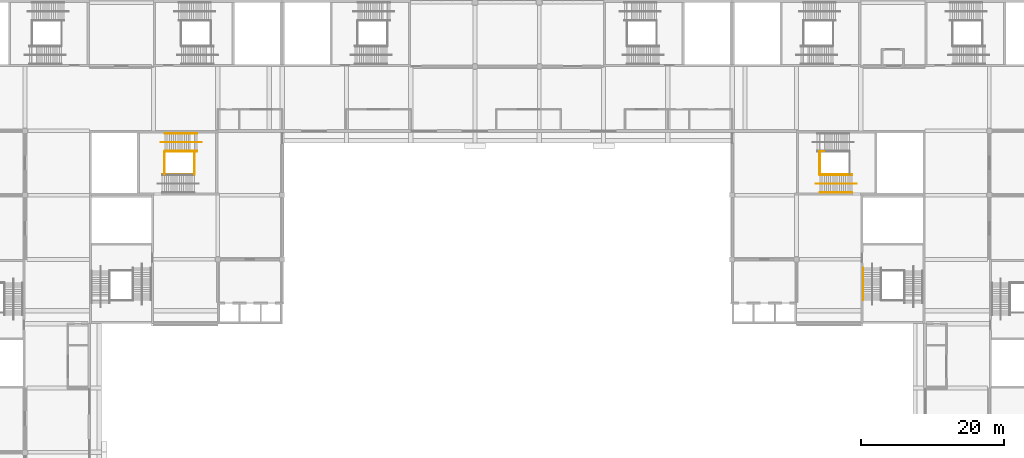
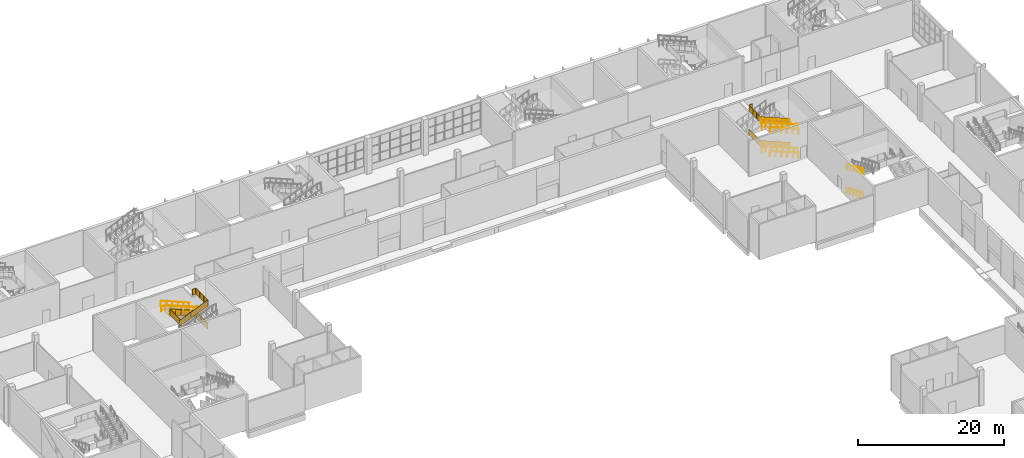
# One storey, part 78 of 89: 20 railings.
"""IFC4 building model written with IfcOpenShell, lengths in metres."""

from ifc_helpers import new_model, si_unit, direction, frame, origin, origin_2d, place, context, subcontext, project, spatial, polyline, circle, outline, extrude, material, type_object, element, save


model = new_model("IFC4")

# Units and contexts
model_context = context("Model", 3, precision=1e-05, world=origin(), true_north=direction((0.0, 1.0)))
body_context = subcontext(model_context, "Body", "Model", "MODEL_VIEW")
ifc_project = project(units=[si_unit("LENGTHUNIT", "METRE"), si_unit("AREAUNIT", "SQUARE_METRE"), si_unit("VOLUMEUNIT", "CUBIC_METRE"), si_unit("PLANEANGLEUNIT", "RADIAN"), si_unit("MASSUNIT", "GRAM", prefix="KILO")], contexts=[model_context])

# Site, building, storey
site_placement = place(None, origin())
site = spatial("IfcSite", under=ifc_project, at=site_placement, CompositionType="ELEMENT")
building_placement = place(site_placement, origin())
building = spatial("IfcBuilding", under=site, at=building_placement, Name="Silverbay Arena", CompositionType="ELEMENT")
storey_placement = place(building_placement, frame((0.0, 0.0, 22.0)))
storey = spatial("IfcBuildingStorey", under=building, at=storey_placement, Name="L03", CompositionType="ELEMENT", Elevation=22.0)

# Railings
ifc_material_1 = material(Name="Stainless steel", Category="steel")
railing_type_1 = type_object("IfcRailingType", Name="Stair guard 1100", PredefinedType="GUARDRAIL", material=ifc_material_1)
railing_1_placement = place(storey_placement, frame((87.10009765625, 123.125, 2.125)))
element("IfcRailing", 1, at=railing_1_placement, inside=storey, type_object=railing_type_1, Name="Stair ST-NW1 L03 to L04 flight 2 guard left", PredefinedType="GUARDRAIL", context=body_context, shape_type="SweptSolid", body=[
    extrude(circle(Radius=0.02392578125, at=origin_2d()), frame((0.0, 0.0, 1.076171875), z_axis=(-0.923076923077, 0.0, 0.384615384615), x_axis=(0.0, -1.0, 0.0)), (0.0, 0.0, 1.0), 4.875),
    extrude(outline(polyline([(-0.008056640625, 0.046630859375), (0.907958984375, 0.42822265625), (0.907958984375, 1.431396484375), (-0.008056640625, 1.049560546875), (-0.008056640625, 0.046630859375)])), frame((0.0, -0.0029296875, 0.0), z_axis=(0.0, 1.0, 0.0), x_axis=(-1.0, 0.0, 0.0)), (0.0, 0.0, 1.0), 0.006103515625),
    extrude(outline(polyline([(-0.008056640625, 0.421630859375), (0.907958984375, 0.80322265625), (0.907958984375, 1.806396484375), (-0.008056640625, 1.424560546875), (-0.008056640625, 0.421630859375)])), frame((-0.89990234375, -0.0029296875, 0.0), z_axis=(0.0, 1.0, 0.0), x_axis=(-1.0, 0.0, 0.0)), (0.0, 0.0, 1.0), 0.006103515625),
    extrude(outline(polyline([(-0.008056640625, 0.796630859375), (0.907958984375, 1.17822265625), (0.907958984375, 2.181396484375), (-0.008056640625, 1.799560546875), (-0.008056640625, 0.796630859375)])), frame((-1.800048828125, -0.0029296875, 0.0), z_axis=(0.0, 1.0, 0.0), x_axis=(-1.0, 0.0, 0.0)), (0.0, 0.0, 1.0), 0.006103515625),
    extrude(outline(polyline([(-0.008056640625, 1.171630859375), (0.907958984375, 1.55322265625), (0.907958984375, 2.556396484375), (-0.008056640625, 2.174560546875), (-0.008056640625, 1.171630859375)])), frame((-2.699951171875, -0.0029296875, 0.0), z_axis=(0.0, 1.0, 0.0), x_axis=(-1.0, 0.0, 0.0)), (0.0, 0.0, 1.0), 0.006103515625),
    extrude(outline(polyline([(-0.008056640625, 1.546630859375), (0.907958984375, 1.92822265625), (0.907958984375, 2.931396484375), (-0.008056640625, 2.549560546875), (-0.008056640625, 1.546630859375)])), frame((-3.60009765625, -0.0029296875, 0.0), z_axis=(0.0, 1.0, 0.0), x_axis=(-1.0, 0.0, 0.0)), (0.0, 0.0, 1.0), 0.006103515625),
    extrude(circle(Radius=0.02099609375, at=origin_2d()), origin(), (0.0, 0.0, 1.0), 1.052001953125),
    extrude(circle(Radius=0.02099609375, at=origin_2d()), frame((-0.89990234375, 0.0, 0.375)), (0.0, 0.0, 1.0), 1.052001953125),
    extrude(circle(Radius=0.02099609375, at=origin_2d()), frame((-1.800048828125, 0.0, 0.75)), (0.0, 0.0, 1.0), 1.052001953125),
    extrude(circle(Radius=0.02099609375, at=origin_2d()), frame((-2.699951171875, 0.0, 1.125)), (0.0, 0.0, 1.0), 1.052001953125),
    extrude(circle(Radius=0.02099609375, at=origin_2d()), frame((-3.60009765625, 0.0, 1.5)), (0.0, 0.0, 1.0), 1.052001953125),
    extrude(circle(Radius=0.02099609375, at=origin_2d()), frame((-4.5, 0.0, 1.875)), (0.0, 0.0, 1.0), 1.052001953125),
])
railing_2_placement = place(storey_placement, frame((82.2099609375, 119.875, 4.125)))
element("IfcRailing", 2, at=railing_2_placement, inside=storey, type_object=railing_type_1, Name="Stair ST-NW1 L03 to L04 flight 3 guard right", PredefinedType="GUARDRAIL", context=body_context, shape_type="SweptSolid", body=[
    extrude(circle(Radius=0.02392578125, at=origin_2d()), frame((0.0, 0.0, 1.076171875), z_axis=(0.923076923077, 0.0, 0.384615384615), x_axis=(0.0, 1.0, 0.0)), (0.0, 0.0, 1.0), 4.875),
    extrude(outline(polyline([(-0.008056640625, 0.046630859375), (0.907958984375, 0.42822265625), (0.907958984375, 1.431396484375), (-0.008056640625, 1.049560546875), (-0.008056640625, 0.046630859375)])), frame((0.0, 0.0029296875, 0.0), z_axis=(0.0, -1.0, 0.0), x_axis=(1.0, 0.0, 0.0)), (0.0, 0.0, 1.0), 0.006103515625),
    extrude(outline(polyline([(-0.008056640625, 0.421630859375), (0.907958984375, 0.80322265625), (0.907958984375, 1.806396484375), (-0.008056640625, 1.424560546875), (-0.008056640625, 0.421630859375)])), frame((0.89990234375, 0.0029296875, 0.0), z_axis=(0.0, -1.0, 0.0), x_axis=(1.0, 0.0, 0.0)), (0.0, 0.0, 1.0), 0.006103515625),
    extrude(outline(polyline([(-0.008056640625, 0.796630859375), (0.907958984375, 1.17822265625), (0.907958984375, 2.181396484375), (-0.008056640625, 1.799560546875), (-0.008056640625, 0.796630859375)])), frame((1.800048828125, 0.0029296875, 0.0), z_axis=(0.0, -1.0, 0.0), x_axis=(1.0, 0.0, 0.0)), (0.0, 0.0, 1.0), 0.006103515625),
    extrude(outline(polyline([(-0.008056640625, 1.171630859375), (0.907958984375, 1.55322265625), (0.907958984375, 2.556396484375), (-0.008056640625, 2.174560546875), (-0.008056640625, 1.171630859375)])), frame((2.699951171875, 0.0029296875, 0.0), z_axis=(0.0, -1.0, 0.0), x_axis=(1.0, 0.0, 0.0)), (0.0, 0.0, 1.0), 0.006103515625),
    extrude(outline(polyline([(-0.008056640625, 1.546630859375), (0.907958984375, 1.92822265625), (0.907958984375, 2.931396484375), (-0.008056640625, 2.549560546875), (-0.008056640625, 1.546630859375)])), frame((3.60009765625, 0.0029296875, 0.0), z_axis=(0.0, -1.0, 0.0), x_axis=(1.0, 0.0, 0.0)), (0.0, 0.0, 1.0), 0.006103515625),
    extrude(circle(Radius=0.02099609375, at=origin_2d()), origin(), (0.0, 0.0, 1.0), 1.052001953125),
    extrude(circle(Radius=0.02099609375, at=origin_2d()), frame((0.89990234375, 0.0, 0.375)), (0.0, 0.0, 1.0), 1.052001953125),
    extrude(circle(Radius=0.02099609375, at=origin_2d()), frame((1.800048828125, 0.0, 0.75)), (0.0, 0.0, 1.0), 1.052001953125),
    extrude(circle(Radius=0.02099609375, at=origin_2d()), frame((2.699951171875, 0.0, 1.125)), (0.0, 0.0, 1.0), 1.052001953125),
    extrude(circle(Radius=0.02099609375, at=origin_2d()), frame((3.60009765625, 0.0, 1.5)), (0.0, 0.0, 1.0), 1.052001953125),
    extrude(circle(Radius=0.02099609375, at=origin_2d()), frame((4.5, 0.0, 1.875)), (0.0, 0.0, 1.0), 1.052001953125),
])
for number, where, name in (
    (3, (86.760009765625, 119.89990234375, 2.0), "Stair ST-NW1 L03 to L04 landing 1 guard"),
    (4, (82.550048828125, 119.89990234375, 4.0), "Stair ST-NW1 L03 to L04 landing 2 guard"),
):
    element("IfcRailing", number, at=place(storey_placement, frame(where)), inside=storey, type_object=railing_type_1, Name=name, PredefinedType="GUARDRAIL", context=body_context, shape_type="SweptSolid", body=[
        extrude(circle(Radius=0.02392578125, at=origin_2d()), frame((0.0, 0.0, 1.076171875), z_axis=(0.0, 1.0, 0.0), x_axis=(-1.0, 0.0, 0.0)), (0.0, 0.0, 1.0), 3.2001953125),
        extrude(outline(polyline([(-0.008056640625, 0.050048828125), (1.07470703125, 0.050048828125), (1.07470703125, 1.052978515625), (-0.008056640625, 1.052978515625), (-0.008056640625, 0.050048828125)])), frame((-0.0029296875, 0.0, 0.0), z_axis=(1.0, 0.0, 0.0), x_axis=(0.0, 1.0, 0.0)), (0.0, 0.0, 1.0), 0.006103515625),
        extrude(outline(polyline([(-0.008056640625, 0.050048828125), (1.07470703125, 0.050048828125), (1.07470703125, 1.052978515625), (-0.008056640625, 1.052978515625), (-0.008056640625, 0.050048828125)])), frame((-0.0029296875, 1.066650390625, 0.0), z_axis=(1.0, 0.0, 0.0), x_axis=(0.0, 1.0, 0.0)), (0.0, 0.0, 1.0), 0.006103515625),
        extrude(outline(polyline([(-0.008056640625, 0.050048828125), (1.07470703125, 0.050048828125), (1.07470703125, 1.052978515625), (-0.008056640625, 1.052978515625), (-0.008056640625, 0.050048828125)])), frame((-0.0029296875, 2.133544921875, 0.0), z_axis=(1.0, 0.0, 0.0), x_axis=(0.0, 1.0, 0.0)), (0.0, 0.0, 1.0), 0.006103515625),
        extrude(circle(Radius=0.02099609375, at=origin_2d()), origin(), (0.0, 0.0, 1.0), 1.052001953125),
        extrude(circle(Radius=0.02099609375, at=origin_2d()), frame((0.0, 1.066650390625, 0.0)), (0.0, 0.0, 1.0), 1.052001953125),
        extrude(circle(Radius=0.02099609375, at=origin_2d()), frame((0.0, 2.133544921875, 0.0)), (0.0, 0.0, 1.0), 1.052001953125),
        extrude(circle(Radius=0.02099609375, at=origin_2d()), frame((0.0, 3.2001953125, 0.0)), (0.0, 0.0, 1.0), 1.052001953125),
    ])
railing_3_placement = place(storey_placement, frame((86.14990234375, 123.14990234375, 6.0)))
element("IfcRailing", 5, at=railing_3_placement, inside=storey, type_object=railing_type_1, Name="Stair ST-NW1 L03 to L04 landing 3 guard", PredefinedType="GUARDRAIL", context=body_context, shape_type="SweptSolid", body=[
    extrude(circle(Radius=0.02392578125, at=origin_2d()), frame((0.0, 0.0, 1.076171875), z_axis=(1.0, 0.0, 0.0), x_axis=(0.0, 1.0, 0.0)), (0.0, 0.0, 1.0), 0.56005859375),
    extrude(outline(polyline([(-0.008056640625, 0.050048828125), (0.568115234375, 0.050048828125), (0.568115234375, 1.052978515625), (-0.008056640625, 1.052978515625), (-0.008056640625, 0.050048828125)])), frame((0.0, 0.0029296875, 0.0), z_axis=(0.0, -1.0, 0.0), x_axis=(1.0, 0.0, 0.0)), (0.0, 0.0, 1.0), 0.006103515625),
    extrude(circle(Radius=0.02392578125, at=origin_2d()), frame((0.56005859375, 0.0, 1.076171875), z_axis=(0.0, -1.0, 0.0), x_axis=(1.0, 0.0, 0.0)), (0.0, 0.0, 1.0), 3.25),
    extrude(outline(polyline([(-0.008056640625, 0.050048828125), (1.09130859375, 0.050048828125), (1.09130859375, 1.052978515625), (-0.008056640625, 1.052978515625), (-0.008056640625, 0.050048828125)])), frame((0.56298828125, 0.0, 0.0), z_axis=(-1.0, 0.0, 0.0), x_axis=(0.0, -1.0, 0.0)), (0.0, 0.0, 1.0), 0.006103515625),
    extrude(outline(polyline([(-0.008056640625, 0.050048828125), (1.09130859375, 0.050048828125), (1.09130859375, 1.052978515625), (-0.008056640625, 1.052978515625), (-0.008056640625, 0.050048828125)])), frame((0.56298828125, -1.083251953125, 0.0), z_axis=(-1.0, 0.0, 0.0), x_axis=(0.0, -1.0, 0.0)), (0.0, 0.0, 1.0), 0.006103515625),
    extrude(outline(polyline([(-0.008056640625, 0.050048828125), (1.09130859375, 0.050048828125), (1.09130859375, 1.052978515625), (-0.008056640625, 1.052978515625), (-0.008056640625, 0.050048828125)])), frame((0.56298828125, -2.166748046875, 0.0), z_axis=(-1.0, 0.0, 0.0), x_axis=(0.0, -1.0, 0.0)), (0.0, 0.0, 1.0), 0.006103515625),
    extrude(circle(Radius=0.02099609375, at=origin_2d()), origin(), (0.0, 0.0, 1.0), 1.052001953125),
    extrude(circle(Radius=0.02099609375, at=origin_2d()), frame((0.56005859375, 0.0, 0.0)), (0.0, 0.0, 1.0), 1.052001953125),
    extrude(circle(Radius=0.02099609375, at=origin_2d()), frame((0.56005859375, -1.083251953125, 0.0)), (0.0, 0.0, 1.0), 1.052001953125),
    extrude(circle(Radius=0.02099609375, at=origin_2d()), frame((0.56005859375, -2.166748046875, 0.0)), (0.0, 0.0, 1.0), 1.052001953125),
    extrude(circle(Radius=0.02099609375, at=origin_2d()), frame((0.56005859375, -3.25, 0.0)), (0.0, 0.0, 1.0), 1.052001953125),
])
railing_4_placement = place(storey_placement, frame((178.7900390625, 119.875, 0.125)))
element("IfcRailing", 6, at=railing_4_placement, inside=storey, type_object=railing_type_1, Name="Stair ST-NE1 L03 to L04 flight 1 guard right", PredefinedType="GUARDRAIL", context=body_context, shape_type="SweptSolid", body=[
    extrude(circle(Radius=0.02392578125, at=origin_2d()), frame((0.0, 0.0, 1.076171875), z_axis=(-0.923076923077, 0.0, 0.384615384615), x_axis=(0.0, -1.0, 0.0)), (0.0, 0.0, 1.0), 4.875),
    extrude(outline(polyline([(-0.008056640625, 0.046630859375), (0.907958984375, 0.42822265625), (0.907958984375, 1.431396484375), (-0.008056640625, 1.049560546875), (-0.008056640625, 0.046630859375)])), frame((0.0, -0.0029296875, 0.0), z_axis=(0.0, 1.0, 0.0), x_axis=(-1.0, 0.0, 0.0)), (0.0, 0.0, 1.0), 0.006103515625),
    extrude(outline(polyline([(-0.008056640625, 0.421630859375), (0.907958984375, 0.80322265625), (0.907958984375, 1.806396484375), (-0.008056640625, 1.424560546875), (-0.008056640625, 0.421630859375)])), frame((-0.89990234375, -0.0029296875, 0.0), z_axis=(0.0, 1.0, 0.0), x_axis=(-1.0, 0.0, 0.0)), (0.0, 0.0, 1.0), 0.006103515625),
    extrude(outline(polyline([(-0.008056640625, 0.796630859375), (0.907958984375, 1.17822265625), (0.907958984375, 2.181396484375), (-0.008056640625, 1.799560546875), (-0.008056640625, 0.796630859375)])), frame((-1.800048828125, -0.0029296875, 0.0), z_axis=(0.0, 1.0, 0.0), x_axis=(-1.0, 0.0, 0.0)), (0.0, 0.0, 1.0), 0.006103515625),
    extrude(outline(polyline([(-0.008056640625, 1.171630859375), (0.907958984375, 1.55322265625), (0.907958984375, 2.556396484375), (-0.008056640625, 2.174560546875), (-0.008056640625, 1.171630859375)])), frame((-2.699951171875, -0.0029296875, 0.0), z_axis=(0.0, 1.0, 0.0), x_axis=(-1.0, 0.0, 0.0)), (0.0, 0.0, 1.0), 0.006103515625),
    extrude(outline(polyline([(-0.008056640625, 1.546630859375), (0.907958984375, 1.92822265625), (0.907958984375, 2.931396484375), (-0.008056640625, 2.549560546875), (-0.008056640625, 1.546630859375)])), frame((-3.60009765625, -0.0029296875, 0.0), z_axis=(0.0, 1.0, 0.0), x_axis=(-1.0, 0.0, 0.0)), (0.0, 0.0, 1.0), 0.006103515625),
    extrude(circle(Radius=0.02099609375, at=origin_2d()), origin(), (0.0, 0.0, 1.0), 1.052001953125),
    extrude(circle(Radius=0.02099609375, at=origin_2d()), frame((-0.89990234375, 0.0, 0.375)), (0.0, 0.0, 1.0), 1.052001953125),
    extrude(circle(Radius=0.02099609375, at=origin_2d()), frame((-1.800048828125, 0.0, 0.75)), (0.0, 0.0, 1.0), 1.052001953125),
    extrude(circle(Radius=0.02099609375, at=origin_2d()), frame((-2.699951171875, 0.0, 1.125)), (0.0, 0.0, 1.0), 1.052001953125),
    extrude(circle(Radius=0.02099609375, at=origin_2d()), frame((-3.60009765625, 0.0, 1.5)), (0.0, 0.0, 1.0), 1.052001953125),
    extrude(circle(Radius=0.02099609375, at=origin_2d()), frame((-4.5, 0.0, 1.875)), (0.0, 0.0, 1.0), 1.052001953125),
])
railing_5_placement = place(storey_placement, frame((178.7900390625, 119.875, 4.125)))
element("IfcRailing", 7, at=railing_5_placement, inside=storey, type_object=railing_type_1, Name="Stair ST-NE1 L03 to L04 flight 3 guard right", PredefinedType="GUARDRAIL", context=body_context, shape_type="SweptSolid", body=[
    extrude(circle(Radius=0.02392578125, at=origin_2d()), frame((0.0, 0.0, 1.076171875), z_axis=(-0.923076923077, 0.0, 0.384615384615), x_axis=(0.0, -1.0, 0.0)), (0.0, 0.0, 1.0), 4.875),
    extrude(outline(polyline([(-0.008056640625, 0.046630859375), (0.907958984375, 0.42822265625), (0.907958984375, 1.431396484375), (-0.008056640625, 1.049560546875), (-0.008056640625, 0.046630859375)])), frame((0.0, -0.0029296875, 0.0), z_axis=(0.0, 1.0, 0.0), x_axis=(-1.0, 0.0, 0.0)), (0.0, 0.0, 1.0), 0.006103515625),
    extrude(outline(polyline([(-0.008056640625, 0.421630859375), (0.907958984375, 0.80322265625), (0.907958984375, 1.806396484375), (-0.008056640625, 1.424560546875), (-0.008056640625, 0.421630859375)])), frame((-0.89990234375, -0.0029296875, 0.0), z_axis=(0.0, 1.0, 0.0), x_axis=(-1.0, 0.0, 0.0)), (0.0, 0.0, 1.0), 0.006103515625),
    extrude(outline(polyline([(-0.008056640625, 0.796630859375), (0.907958984375, 1.17822265625), (0.907958984375, 2.181396484375), (-0.008056640625, 1.799560546875), (-0.008056640625, 0.796630859375)])), frame((-1.800048828125, -0.0029296875, 0.0), z_axis=(0.0, 1.0, 0.0), x_axis=(-1.0, 0.0, 0.0)), (0.0, 0.0, 1.0), 0.006103515625),
    extrude(outline(polyline([(-0.008056640625, 1.171630859375), (0.907958984375, 1.55322265625), (0.907958984375, 2.556396484375), (-0.008056640625, 2.174560546875), (-0.008056640625, 1.171630859375)])), frame((-2.699951171875, -0.0029296875, 0.0), z_axis=(0.0, 1.0, 0.0), x_axis=(-1.0, 0.0, 0.0)), (0.0, 0.0, 1.0), 0.006103515625),
    extrude(outline(polyline([(-0.008056640625, 1.546630859375), (0.907958984375, 1.92822265625), (0.907958984375, 2.931396484375), (-0.008056640625, 2.549560546875), (-0.008056640625, 1.546630859375)])), frame((-3.60009765625, -0.0029296875, 0.0), z_axis=(0.0, 1.0, 0.0), x_axis=(-1.0, 0.0, 0.0)), (0.0, 0.0, 1.0), 0.006103515625),
    extrude(circle(Radius=0.02099609375, at=origin_2d()), origin(), (0.0, 0.0, 1.0), 1.052001953125),
    extrude(circle(Radius=0.02099609375, at=origin_2d()), frame((-0.89990234375, 0.0, 0.375)), (0.0, 0.0, 1.0), 1.052001953125),
    extrude(circle(Radius=0.02099609375, at=origin_2d()), frame((-1.800048828125, 0.0, 0.75)), (0.0, 0.0, 1.0), 1.052001953125),
    extrude(circle(Radius=0.02099609375, at=origin_2d()), frame((-2.699951171875, 0.0, 1.125)), (0.0, 0.0, 1.0), 1.052001953125),
    extrude(circle(Radius=0.02099609375, at=origin_2d()), frame((-3.60009765625, 0.0, 1.5)), (0.0, 0.0, 1.0), 1.052001953125),
    extrude(circle(Radius=0.02099609375, at=origin_2d()), frame((-4.5, 0.0, 1.875)), (0.0, 0.0, 1.0), 1.052001953125),
])
railing_6_placement = place(storey_placement, frame((174.239990234375, 119.89990234375, 2.0)))
element("IfcRailing", 8, at=railing_6_placement, inside=storey, type_object=railing_type_1, Name="Stair ST-NE1 L03 to L04 landing 1 guard", PredefinedType="GUARDRAIL", context=body_context, shape_type="SweptSolid", body=[
    extrude(circle(Radius=0.02392578125, at=origin_2d()), frame((0.0, 0.0, 1.076171875), z_axis=(0.0, 1.0, 0.0), x_axis=(-1.0, 0.0, 0.0)), (0.0, 0.0, 1.0), 3.2001953125),
    extrude(outline(polyline([(-0.008056640625, 0.050048828125), (1.07470703125, 0.050048828125), (1.07470703125, 1.052978515625), (-0.008056640625, 1.052978515625), (-0.008056640625, 0.050048828125)])), frame((-0.0029296875, 0.0, 0.0), z_axis=(1.0, 0.0, 0.0), x_axis=(0.0, 1.0, 0.0)), (0.0, 0.0, 1.0), 0.006103515625),
    extrude(outline(polyline([(-0.008056640625, 0.050048828125), (1.07470703125, 0.050048828125), (1.07470703125, 1.052978515625), (-0.008056640625, 1.052978515625), (-0.008056640625, 0.050048828125)])), frame((-0.0029296875, 1.066650390625, 0.0), z_axis=(1.0, 0.0, 0.0), x_axis=(0.0, 1.0, 0.0)), (0.0, 0.0, 1.0), 0.006103515625),
    extrude(outline(polyline([(-0.008056640625, 0.050048828125), (1.07470703125, 0.050048828125), (1.07470703125, 1.052978515625), (-0.008056640625, 1.052978515625), (-0.008056640625, 0.050048828125)])), frame((-0.0029296875, 2.133544921875, 0.0), z_axis=(1.0, 0.0, 0.0), x_axis=(0.0, 1.0, 0.0)), (0.0, 0.0, 1.0), 0.006103515625),
    extrude(circle(Radius=0.02099609375, at=origin_2d()), origin(), (0.0, 0.0, 1.0), 1.052001953125),
    extrude(circle(Radius=0.02099609375, at=origin_2d()), frame((0.0, 1.066650390625, 0.0)), (0.0, 0.0, 1.0), 1.052001953125),
    extrude(circle(Radius=0.02099609375, at=origin_2d()), frame((0.0, 2.133544921875, 0.0)), (0.0, 0.0, 1.0), 1.052001953125),
    extrude(circle(Radius=0.02099609375, at=origin_2d()), frame((0.0, 3.2001953125, 0.0)), (0.0, 0.0, 1.0), 1.052001953125),
])
railing_7_placement = place(storey_placement, frame((174.85009765625, 123.14990234375, 6.0)))
element("IfcRailing", 9, at=railing_7_placement, inside=storey, type_object=railing_type_1, Name="Stair ST-NE1 L03 to L04 landing 3 guard", PredefinedType="GUARDRAIL", context=body_context, shape_type="SweptSolid", body=[
    extrude(circle(Radius=0.02392578125, at=origin_2d()), frame((0.0, 0.0, 1.076171875), z_axis=(-1.0, 0.0, 0.0), x_axis=(0.0, -1.0, 0.0)), (0.0, 0.0, 1.0), 0.56005859375),
    extrude(outline(polyline([(-0.008056640625, 0.050048828125), (0.568115234375, 0.050048828125), (0.568115234375, 1.052978515625), (-0.008056640625, 1.052978515625), (-0.008056640625, 0.050048828125)])), frame((0.0, -0.0029296875, 0.0), z_axis=(0.0, 1.0, 0.0), x_axis=(-1.0, 0.0, 0.0)), (0.0, 0.0, 1.0), 0.006103515625),
    extrude(circle(Radius=0.02392578125, at=origin_2d()), frame((-0.56005859375, 0.0, 1.076171875), z_axis=(0.0, -1.0, 0.0), x_axis=(1.0, 0.0, 0.0)), (0.0, 0.0, 1.0), 3.25),
    extrude(outline(polyline([(-0.008056640625, 0.050048828125), (1.09130859375, 0.050048828125), (1.09130859375, 1.052978515625), (-0.008056640625, 1.052978515625), (-0.008056640625, 0.050048828125)])), frame((-0.55712890625, 0.0, 0.0), z_axis=(-1.0, 0.0, 0.0), x_axis=(0.0, -1.0, 0.0)), (0.0, 0.0, 1.0), 0.006103515625),
    extrude(outline(polyline([(-0.008056640625, 0.050048828125), (1.09130859375, 0.050048828125), (1.09130859375, 1.052978515625), (-0.008056640625, 1.052978515625), (-0.008056640625, 0.050048828125)])), frame((-0.55712890625, -1.083251953125, 0.0), z_axis=(-1.0, 0.0, 0.0), x_axis=(0.0, -1.0, 0.0)), (0.0, 0.0, 1.0), 0.006103515625),
    extrude(outline(polyline([(-0.008056640625, 0.050048828125), (1.09130859375, 0.050048828125), (1.09130859375, 1.052978515625), (-0.008056640625, 1.052978515625), (-0.008056640625, 0.050048828125)])), frame((-0.55712890625, -2.166748046875, 0.0), z_axis=(-1.0, 0.0, 0.0), x_axis=(0.0, -1.0, 0.0)), (0.0, 0.0, 1.0), 0.006103515625),
    extrude(circle(Radius=0.02099609375, at=origin_2d()), origin(), (0.0, 0.0, 1.0), 1.052001953125),
    extrude(circle(Radius=0.02099609375, at=origin_2d()), frame((-0.56005859375, 0.0, 0.0)), (0.0, 0.0, 1.0), 1.052001953125),
    extrude(circle(Radius=0.02099609375, at=origin_2d()), frame((-0.56005859375, -1.083251953125, 0.0)), (0.0, 0.0, 1.0), 1.052001953125),
    extrude(circle(Radius=0.02099609375, at=origin_2d()), frame((-0.56005859375, -2.166748046875, 0.0)), (0.0, 0.0, 1.0), 1.052001953125),
    extrude(circle(Radius=0.02099609375, at=origin_2d()), frame((-0.56005859375, -3.25, 0.0)), (0.0, 0.0, 1.0), 1.052001953125),
])
ifc_material_2 = material(Name="Stainless steel", Category="steel")
railing_type_2 = type_object("IfcRailingType", Name="Stair handrail 900", PredefinedType="HANDRAIL", material=ifc_material_2)
for number, where, name in (
    (10, (87.10009765625, 123.1640625, 2.125), "Stair ST-NW1 L03 to L04 flight 2 handrail left"),
    (11, (87.10009765625, 125.64990234375, 2.125), "Stair ST-NW1 L03 to L04 flight 2 handrail right"),
):
    element("IfcRailing", number, at=place(storey_placement, frame(where)), inside=storey, type_object=railing_type_2, Name=name, PredefinedType="HANDRAIL", context=body_context, shape_type="SweptSolid", body=[
        extrude(circle(Radius=0.02392578125, at=origin_2d()), frame((0.0, 0.0, 0.8759765625), z_axis=(-0.923076923077, 0.0, 0.384615384615), x_axis=(0.0, -1.0, 0.0)), (0.0, 0.0, 1.0), 4.875),
        extrude(circle(Radius=0.02099609375, at=origin_2d()), origin(), (0.0, 0.0, 1.0), 0.851806640625),
        extrude(circle(Radius=0.02099609375, at=origin_2d()), frame((-0.89990234375, 0.0, 0.375)), (0.0, 0.0, 1.0), 0.851806640625),
        extrude(circle(Radius=0.02099609375, at=origin_2d()), frame((-1.800048828125, 0.0, 0.75)), (0.0, 0.0, 1.0), 0.851806640625),
        extrude(circle(Radius=0.02099609375, at=origin_2d()), frame((-2.699951171875, 0.0, 1.125)), (0.0, 0.0, 1.0), 0.851806640625),
        extrude(circle(Radius=0.02099609375, at=origin_2d()), frame((-3.60009765625, 0.0, 1.5)), (0.0, 0.0, 1.0), 0.851806640625),
        extrude(circle(Radius=0.02099609375, at=origin_2d()), frame((-4.5, 0.0, 1.875)), (0.0, 0.0, 1.0), 0.851806640625),
    ])
railing_8_placement = place(storey_placement, frame((87.699951171875, 124.39990234375, 2.0)))
element("IfcRailing", 12, at=railing_8_placement, inside=storey, type_object=railing_type_2, Name="Stair ST-NW1 L03 to L04 flight 2 central handrail", PredefinedType="HANDRAIL", context=body_context, shape_type="SweptSolid", body=[
    extrude(circle(Radius=0.02392578125, at=origin_2d()), frame((0.0, 0.0, 0.8759765625), z_axis=(-0.978970474113, 0.0, 0.20400198728), x_axis=(0.0, -1.0, 0.0)), (0.0, 0.0, 1.0), 0.61279296875),
    extrude(circle(Radius=0.02392578125, at=origin_2d()), frame((-0.599853515625, 0.0, 1.0009765625), z_axis=(-0.923076923077, 0.0, 0.384615384615), x_axis=(0.0, -1.0, 0.0)), (0.0, 0.0, 1.0), 4.875),
    extrude(circle(Radius=0.02392578125, at=origin_2d()), frame((-5.099853515625, 0.0, 2.8759765625), z_axis=(-1.0, 0.0, 0.0), x_axis=(0.0, -1.0, 0.0)), (0.0, 0.0, 1.0), 0.60009765625),
    extrude(circle(Radius=0.02099609375, at=origin_2d()), origin(), (0.0, 0.0, 1.0), 0.851806640625),
    extrude(circle(Radius=0.02099609375, at=origin_2d()), frame((-0.599853515625, 0.0, 0.125)), (0.0, 0.0, 1.0), 0.851806640625),
    extrude(circle(Radius=0.02099609375, at=origin_2d()), frame((-1.499755859375, 0.0, 0.5)), (0.0, 0.0, 1.0), 0.851806640625),
    extrude(circle(Radius=0.02099609375, at=origin_2d()), frame((-2.39990234375, 0.0, 0.875)), (0.0, 0.0, 1.0), 0.851806640625),
    extrude(circle(Radius=0.02099609375, at=origin_2d()), frame((-3.2998046875, 0.0, 1.25)), (0.0, 0.0, 1.0), 0.851806640625),
    extrude(circle(Radius=0.02099609375, at=origin_2d()), frame((-4.199951171875, 0.0, 1.625)), (0.0, 0.0, 1.0), 0.851806640625),
    extrude(circle(Radius=0.02099609375, at=origin_2d()), frame((-5.099853515625, 0.0, 2.0)), (0.0, 0.0, 1.0), 0.851806640625),
    extrude(circle(Radius=0.02099609375, at=origin_2d()), frame((-5.699951171875, 0.0, 2.0)), (0.0, 0.0, 1.0), 0.851806640625),
])
for number, where, name in (
    (13, (178.7900390625, 117.35009765625, 0.125), "Stair ST-NE1 L03 to L04 flight 1 handrail left"),
    (14, (178.7900390625, 119.8359375, 0.125), "Stair ST-NE1 L03 to L04 flight 1 handrail right"),
):
    element("IfcRailing", number, at=place(storey_placement, frame(where)), inside=storey, type_object=railing_type_2, Name=name, PredefinedType="HANDRAIL", context=body_context, shape_type="SweptSolid", body=[
        extrude(circle(Radius=0.02392578125, at=origin_2d()), frame((0.0, 0.0, 0.8759765625), z_axis=(-0.923076923077, 0.0, 0.384615384615), x_axis=(0.0, -1.0, 0.0)), (0.0, 0.0, 1.0), 4.875),
        extrude(circle(Radius=0.02099609375, at=origin_2d()), origin(), (0.0, 0.0, 1.0), 0.851806640625),
        extrude(circle(Radius=0.02099609375, at=origin_2d()), frame((-0.89990234375, 0.0, 0.375)), (0.0, 0.0, 1.0), 0.851806640625),
        extrude(circle(Radius=0.02099609375, at=origin_2d()), frame((-1.800048828125, 0.0, 0.75)), (0.0, 0.0, 1.0), 0.851806640625),
        extrude(circle(Radius=0.02099609375, at=origin_2d()), frame((-2.699951171875, 0.0, 1.125)), (0.0, 0.0, 1.0), 0.851806640625),
        extrude(circle(Radius=0.02099609375, at=origin_2d()), frame((-3.60009765625, 0.0, 1.5)), (0.0, 0.0, 1.0), 0.851806640625),
        extrude(circle(Radius=0.02099609375, at=origin_2d()), frame((-4.5, 0.0, 1.875)), (0.0, 0.0, 1.0), 0.851806640625),
    ])
railing_9_placement = place(storey_placement, frame((179.389892578125, 118.60009765625, 0.0)))
element("IfcRailing", 15, at=railing_9_placement, inside=storey, type_object=railing_type_2, Name="Stair ST-NE1 L03 to L04 flight 1 central handrail", PredefinedType="HANDRAIL", context=body_context, shape_type="SweptSolid", body=[
    extrude(circle(Radius=0.02392578125, at=origin_2d()), frame((0.0, 0.0, 0.8759765625), z_axis=(-0.978970474113, 0.0, 0.20400198728), x_axis=(0.0, -1.0, 0.0)), (0.0, 0.0, 1.0), 0.61279296875),
    extrude(circle(Radius=0.02392578125, at=origin_2d()), frame((-0.599853515625, 0.0, 1.0009765625), z_axis=(-0.923076923077, 0.0, 0.384615384615), x_axis=(0.0, -1.0, 0.0)), (0.0, 0.0, 1.0), 4.875),
    extrude(circle(Radius=0.02392578125, at=origin_2d()), frame((-5.099853515625, 0.0, 2.8759765625), z_axis=(-1.0, 0.0, 0.0), x_axis=(0.0, -1.0, 0.0)), (0.0, 0.0, 1.0), 0.60009765625),
    extrude(circle(Radius=0.02099609375, at=origin_2d()), origin(), (0.0, 0.0, 1.0), 0.851806640625),
    extrude(circle(Radius=0.02099609375, at=origin_2d()), frame((-0.599853515625, 0.0, 0.125)), (0.0, 0.0, 1.0), 0.851806640625),
    extrude(circle(Radius=0.02099609375, at=origin_2d()), frame((-1.499755859375, 0.0, 0.5)), (0.0, 0.0, 1.0), 0.851806640625),
    extrude(circle(Radius=0.02099609375, at=origin_2d()), frame((-2.39990234375, 0.0, 0.875)), (0.0, 0.0, 1.0), 0.851806640625),
    extrude(circle(Radius=0.02099609375, at=origin_2d()), frame((-3.2998046875, 0.0, 1.25)), (0.0, 0.0, 1.0), 0.851806640625),
    extrude(circle(Radius=0.02099609375, at=origin_2d()), frame((-4.199951171875, 0.0, 1.625)), (0.0, 0.0, 1.0), 0.851806640625),
    extrude(circle(Radius=0.02099609375, at=origin_2d()), frame((-5.099853515625, 0.0, 2.0)), (0.0, 0.0, 1.0), 0.851806640625),
    extrude(circle(Radius=0.02099609375, at=origin_2d()), frame((-5.699951171875, 0.0, 2.0)), (0.0, 0.0, 1.0), 0.851806640625),
])
for number, where, name in (
    (16, (178.7900390625, 117.35009765625, 4.125), "Stair ST-NE1 L03 to L04 flight 3 handrail left"),
    (17, (178.7900390625, 119.8359375, 4.125), "Stair ST-NE1 L03 to L04 flight 3 handrail right"),
):
    element("IfcRailing", number, at=place(storey_placement, frame(where)), inside=storey, type_object=railing_type_2, Name=name, PredefinedType="HANDRAIL", context=body_context, shape_type="SweptSolid", body=[
        extrude(circle(Radius=0.02392578125, at=origin_2d()), frame((0.0, 0.0, 0.8759765625), z_axis=(-0.923076923077, 0.0, 0.384615384615), x_axis=(0.0, -1.0, 0.0)), (0.0, 0.0, 1.0), 4.875),
        extrude(circle(Radius=0.02099609375, at=origin_2d()), origin(), (0.0, 0.0, 1.0), 0.851806640625),
        extrude(circle(Radius=0.02099609375, at=origin_2d()), frame((-0.89990234375, 0.0, 0.375)), (0.0, 0.0, 1.0), 0.851806640625),
        extrude(circle(Radius=0.02099609375, at=origin_2d()), frame((-1.800048828125, 0.0, 0.75)), (0.0, 0.0, 1.0), 0.851806640625),
        extrude(circle(Radius=0.02099609375, at=origin_2d()), frame((-2.699951171875, 0.0, 1.125)), (0.0, 0.0, 1.0), 0.851806640625),
        extrude(circle(Radius=0.02099609375, at=origin_2d()), frame((-3.60009765625, 0.0, 1.5)), (0.0, 0.0, 1.0), 0.851806640625),
        extrude(circle(Radius=0.02099609375, at=origin_2d()), frame((-4.5, 0.0, 1.875)), (0.0, 0.0, 1.0), 0.851806640625),
    ])
railing_10_placement = place(storey_placement, frame((179.389892578125, 118.60009765625, 4.0)))
element("IfcRailing", 18, at=railing_10_placement, inside=storey, type_object=railing_type_2, Name="Stair ST-NE1 L03 to L04 flight 3 central handrail", PredefinedType="HANDRAIL", context=body_context, shape_type="SweptSolid", body=[
    extrude(circle(Radius=0.02392578125, at=origin_2d()), frame((0.0, 0.0, 0.8759765625), z_axis=(-0.978970474113, 0.0, 0.20400198728), x_axis=(0.0, -1.0, 0.0)), (0.0, 0.0, 1.0), 0.61279296875),
    extrude(circle(Radius=0.02392578125, at=origin_2d()), frame((-0.599853515625, 0.0, 1.0009765625), z_axis=(-0.923076923077, 0.0, 0.384615384615), x_axis=(0.0, -1.0, 0.0)), (0.0, 0.0, 1.0), 4.875),
    extrude(circle(Radius=0.02392578125, at=origin_2d()), frame((-5.099853515625, 0.0, 2.8759765625), z_axis=(-1.0, 0.0, 0.0), x_axis=(0.0, -1.0, 0.0)), (0.0, 0.0, 1.0), 0.60009765625),
    extrude(circle(Radius=0.02099609375, at=origin_2d()), origin(), (0.0, 0.0, 1.0), 0.851806640625),
    extrude(circle(Radius=0.02099609375, at=origin_2d()), frame((-0.599853515625, 0.0, 0.125)), (0.0, 0.0, 1.0), 0.851806640625),
    extrude(circle(Radius=0.02099609375, at=origin_2d()), frame((-1.499755859375, 0.0, 0.5)), (0.0, 0.0, 1.0), 0.851806640625),
    extrude(circle(Radius=0.02099609375, at=origin_2d()), frame((-2.39990234375, 0.0, 0.875)), (0.0, 0.0, 1.0), 0.851806640625),
    extrude(circle(Radius=0.02099609375, at=origin_2d()), frame((-3.2998046875, 0.0, 1.25)), (0.0, 0.0, 1.0), 0.851806640625),
    extrude(circle(Radius=0.02099609375, at=origin_2d()), frame((-4.199951171875, 0.0, 1.625)), (0.0, 0.0, 1.0), 0.851806640625),
    extrude(circle(Radius=0.02099609375, at=origin_2d()), frame((-5.099853515625, 0.0, 2.0)), (0.0, 0.0, 1.0), 0.851806640625),
    extrude(circle(Radius=0.02099609375, at=origin_2d()), frame((-5.699951171875, 0.0, 2.0)), (0.0, 0.0, 1.0), 0.851806640625),
])
for number, where, name in (
    (19, (180.35009765625, 106.7900390625, 0.125), "Stair ST-NE2 L03 to L04 flight 1 handrail left"),
    (20, (180.35009765625, 106.7900390625, 4.125), "Stair ST-NE2 L03 to L04 flight 3 handrail left"),
):
    element("IfcRailing", number, at=place(storey_placement, frame(where)), inside=storey, type_object=railing_type_2, Name=name, PredefinedType="HANDRAIL", context=body_context, shape_type="SweptSolid", body=[
        extrude(circle(Radius=0.02392578125, at=origin_2d()), frame((0.0, 0.0, 0.8759765625), z_axis=(0.0, -0.923076923077, 0.384615384615), x_axis=(1.0, 0.0, 0.0)), (0.0, 0.0, 1.0), 4.875),
        extrude(circle(Radius=0.02099609375, at=origin_2d()), origin(), (0.0, 0.0, 1.0), 0.851806640625),
        extrude(circle(Radius=0.02099609375, at=origin_2d()), frame((0.0, -0.89990234375, 0.375)), (0.0, 0.0, 1.0), 0.851806640625),
        extrude(circle(Radius=0.02099609375, at=origin_2d()), frame((0.0, -1.800048828125, 0.75)), (0.0, 0.0, 1.0), 0.851806640625),
        extrude(circle(Radius=0.02099609375, at=origin_2d()), frame((0.0, -2.699951171875, 1.125)), (0.0, 0.0, 1.0), 0.851806640625),
        extrude(circle(Radius=0.02099609375, at=origin_2d()), frame((0.0, -3.60009765625, 1.5)), (0.0, 0.0, 1.0), 0.851806640625),
        extrude(circle(Radius=0.02099609375, at=origin_2d()), frame((0.0, -4.5, 1.875)), (0.0, 0.0, 1.0), 0.851806640625),
    ])

save(model, "model.ifc")
